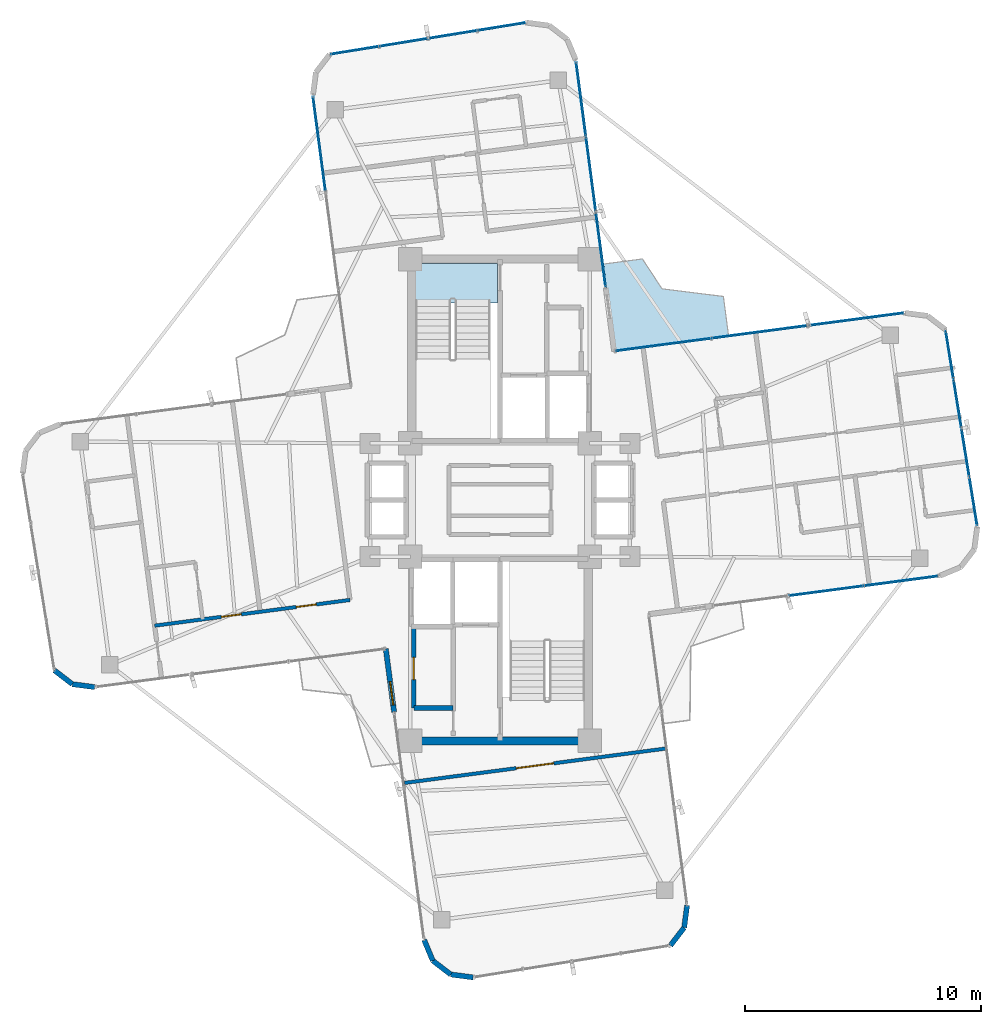
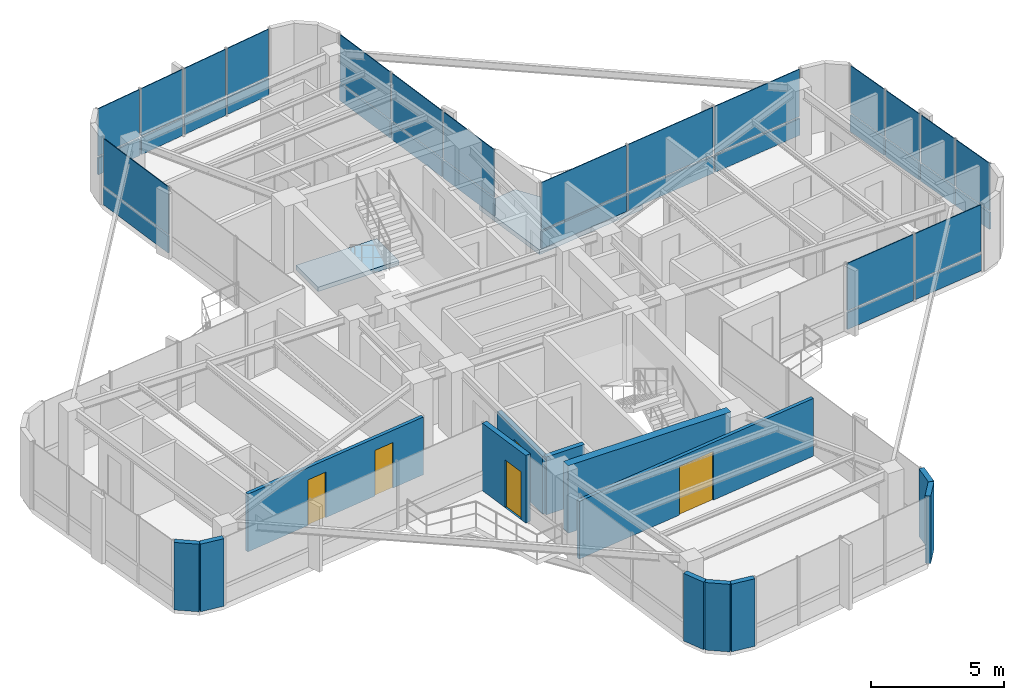
# One storey, part 18 of 22: 34 plates, 13 walls, 5 doors, 2 slabs, 5 openings, 6 elements without a shape of their own.
"""IFC4 building model written with IfcOpenShell, lengths in metres."""

from ifc_helpers import new_model, si_unit, direction, frame, frame_2d, origin, origin_2d, place, context, subcontext, project, spatial, polyline, rectangle, outline, extrude, source, transform, mapped, material, layer, layer_set, type_object, element, fill, aggregate, save


model = new_model("IFC4")

# Units and contexts
model_context = context("Model", 3, precision=1e-05, world=origin(), true_north=direction((0.0, 1.0)))
body_context = subcontext(model_context, "Body", "Model", "MODEL_VIEW")
ifc_project = project(units=[si_unit("LENGTHUNIT", "METRE"), si_unit("AREAUNIT", "SQUARE_METRE"), si_unit("VOLUMEUNIT", "CUBIC_METRE"), si_unit("PLANEANGLEUNIT", "RADIAN"), si_unit("MASSUNIT", "GRAM", prefix="KILO")], contexts=[model_context])

# Site, building, storey
site_placement = place(None, origin())
site = spatial("IfcSite", under=ifc_project, at=site_placement, CompositionType="ELEMENT")
building_placement = place(site_placement, origin())
building = spatial("IfcBuilding", under=site, at=building_placement, Name="Sahyath Konkavel Grand Hotel", CompositionType="ELEMENT")
storey_placement = place(building_placement, frame((0.0, 0.0, 244.5)))
storey = spatial("IfcBuildingStorey", under=building, at=storey_placement, Name="L68", CompositionType="ELEMENT", Elevation=244.5)

# Slabs
ifc_material_1 = material(Name="Concrete C40/50", Category="concrete")
ifc_layer_1 = layer(ifc_material_1, 0.219970703125)
ifc_layer_set_1 = layer_set([ifc_layer_1], Name="Concrete C40/50")
slab_type_1 = type_object("IfcSlabType", Name="SLB-BALCONY-220", PredefinedType="FLOOR", material=ifc_layer_set_1)
slab_1_placement = place(storey_placement, frame((0.0, 0.0, -0.219970703125)))
element("IfcSlab", 1, at=slab_1_placement, inside=storey, type_object=slab_type_1, Name="L68 Winter-Garden Balcony NE", PredefinedType="FLOOR", context=body_context, shape_type="SweptSolid", body=[
    extrude(outline(polyline([(4.835693359375, 6.302001953125), (9.678955078125, 6.939697265625), (9.4580078125, 8.61865234375), (6.860595703125, 8.94091796875), (6.02978515625, 10.206298828125), (4.350830078125, 9.9853515625), (4.835693359375, 6.302001953125)])), origin(), (0.0, 0.0, 1.0), 0.219970703125),
])
ifc_layer_2 = layer(ifc_material_1, 0.199951171875)
ifc_layer_set_2 = layer_set([ifc_layer_2], Name="Concrete C40/50")
slab_type_2 = type_object("IfcSlabType", Name="SLB-STAIR-LND", PredefinedType="LANDING", material=ifc_layer_set_2)
slab_2_placement = place(storey_placement, frame((0.0, 0.0, -0.199951171875)))
element("IfcSlab", 2, at=slab_2_placement, inside=storey, type_object=slab_type_2, Name="L68 Stair ST-1 Floor Landing Slab", PredefinedType="LANDING", context=body_context, shape_type="SweptSolid", body=[
    extrude(outline(polyline([(-3.6201171875, 8.35009765625), (-0.10009765625, 8.35009765625), (-0.10009765625, 10.02001953125), (-3.6201171875, 10.02001953125), (-3.6201171875, 8.35009765625)])), origin(), (0.0, 0.0, 1.0), 0.199951171875),
])

# Curtain wall, plates
ifc_material_2 = material(Name="Anodised Bronze Aluminium & Low-E Glazing", Category="aluminium")
curtain_wall_type = type_object("IfcCurtainWallType", Name="CW-ZONE4", PredefinedType="NOTDEFINED", material=ifc_material_2)
curtain_wall_1_placement = place(storey_placement, origin())
curtain_wall_1 = element("IfcCurtainWall", 3, at=curtain_wall_1_placement, inside=storey, type_object=curtain_wall_type, Name="L68 Unitised Curtain Wall F0", PredefinedType="NOTDEFINED")
ifc_material_3 = material(Name="Warm Buff Sandstone Cladding", Category="masonry")
ifc_layer_3 = layer(ifc_material_3, 0.074951171875)
ifc_layer_set_3 = layer_set([ifc_layer_3], Name="Warm Buff Sandstone Cladding")
plate_type_1 = type_object("IfcPlateType", Name="PNL-SPANDREL-STONE", PredefinedType="SHEET", material=ifc_layer_set_3)
shared_shape_1 = source(origin(), body_context, "Body", "SweptSolid", [
    extrude(rectangle(XDim=3.13525390625, YDim=0.074951171875, at=origin_2d()), origin(), (0.0, 0.0, 1.0), 0.77001953125),
])
plate_1_placement = place(storey_placement, frame((13.80029296875, -3.8486328125, 0.0400390625), z_axis=(0.0, 0.0, 1.0), x_axis=(0.991444861374, 0.13052619222, 0.0)))
plate_1 = element("IfcPlate", 4, at=plate_1_placement, type_object=plate_type_1, Name="L68 Sandstone Relief Spandrel Panel F0-1", PredefinedType="SHEET", context=body_context, shape_type="MappedRepresentation", body=[
    mapped(shared_shape_1, transform((0.0, 0.0, 0.0), scale=1.0)),
])
plate_2_placement = place(storey_placement, frame((16.98828125, -3.428955078125, 0.0400390625), z_axis=(0.0, 0.0, 1.0), x_axis=(0.991444861374, 0.13052619222, 0.0)))
plate_2 = element("IfcPlate", 5, at=plate_2_placement, type_object=plate_type_1, Name="L68 Sandstone Relief Spandrel Panel F0-2", PredefinedType="SHEET", context=body_context, shape_type="MappedRepresentation", body=[
    mapped(shared_shape_1, transform((0.0, 0.0, 0.0), scale=1.0)),
])

curtain_wall_2_placement = place(storey_placement, origin())
curtain_wall_2 = element("IfcCurtainWall", 6, at=curtain_wall_2_placement, inside=storey, type_object=curtain_wall_type, Name="L68 Unitised Curtain Wall F8", PredefinedType="NOTDEFINED")
plate_3_placement = place(storey_placement, frame((4.268310546875, 10.612548828125, 0.0400390625), z_axis=(0.0, 0.0, 1.0), x_axis=(-0.13052619222, 0.991444861374, 0.0)))
plate_3 = element("IfcPlate", 7, at=plate_3_placement, type_object=plate_type_1, Name="L68 Sandstone Relief Spandrel Panel F8-0", PredefinedType="SHEET", context=body_context, shape_type="MappedRepresentation", body=[
    mapped(shared_shape_1, transform((0.0, 0.0, 0.0), scale=1.0)),
])
plate_4_placement = place(storey_placement, frame((3.8486328125, 13.80029296875, 0.0400390625), z_axis=(0.0, 0.0, 1.0), x_axis=(-0.13052619222, 0.991444861374, 0.0)))
plate_4 = element("IfcPlate", 8, at=plate_4_placement, type_object=plate_type_1, Name="L68 Sandstone Relief Spandrel Panel F8-1", PredefinedType="SHEET", context=body_context, shape_type="MappedRepresentation", body=[
    mapped(shared_shape_1, transform((0.0, 0.0, 0.0), scale=1.0)),
])
plate_5_placement = place(storey_placement, frame((3.428955078125, 16.98828125, 0.0400390625), z_axis=(0.0, 0.0, 1.0), x_axis=(-0.13052619222, 0.991444861374, 0.0)))
plate_5 = element("IfcPlate", 9, at=plate_5_placement, type_object=plate_type_1, Name="L68 Sandstone Relief Spandrel Panel F8-2", PredefinedType="SHEET", context=body_context, shape_type="MappedRepresentation", body=[
    mapped(shared_shape_1, transform((0.0, 0.0, 0.0), scale=1.0)),
])

# Plate
ifc_material_4 = material(Name="Low-E Solar Control Double Glazing", Category="glass")
ifc_layer_4 = layer(ifc_material_4, 0.035888671875)
ifc_layer_set_4 = layer_set([ifc_layer_4], Name="Low-E Solar Control Double Glazing")
plate_type_2 = type_object("IfcPlateType", Name="PNL-VISION-LOWE", PredefinedType="CURTAIN_PANEL", material=ifc_layer_set_4)
shared_shape_2 = source(origin(), body_context, "Body", "SweptSolid", [
    extrude(rectangle(XDim=3.13525390625, YDim=0.035888671875, at=origin_2d()), origin(), (0.0, 0.0, 1.0), 2.179931640625),
])
plate_6_placement = place(storey_placement, frame((13.80029296875, -3.8486328125, 0.89013671875), z_axis=(0.0, 0.0, 1.0), x_axis=(0.991444861374, 0.13052619222, 0.0)))
plate_6 = element("IfcPlate", 10, at=plate_6_placement, type_object=plate_type_2, Name="L68 Low-E Vision Glazing Panel F0-1", PredefinedType="CURTAIN_PANEL", context=body_context, shape_type="MappedRepresentation", body=[
    mapped(shared_shape_2, transform((0.0, 0.0, 0.0), scale=1.0)),
])

plate_7_placement = place(storey_placement, frame((16.98828125, -3.428955078125, 0.89013671875), z_axis=(0.0, 0.0, 1.0), x_axis=(0.991444861374, 0.13052619222, 0.0)))
plate_7 = element("IfcPlate", 11, at=plate_7_placement, type_object=plate_type_2, Name="L68 Low-E Vision Glazing Panel F0-2", PredefinedType="CURTAIN_PANEL", context=body_context, shape_type="MappedRepresentation", body=[
    mapped(shared_shape_2, transform((0.0, 0.0, 0.0), scale=1.0)),
])

aggregate(curtain_wall_1, [plate_1, plate_6, plate_2, plate_7])

plate_8_placement = place(storey_placement, frame((4.268310546875, 10.612548828125, 0.89013671875), z_axis=(0.0, 0.0, 1.0), x_axis=(-0.13052619222, 0.991444861374, 0.0)))
plate_8 = element("IfcPlate", 12, at=plate_8_placement, type_object=plate_type_2, Name="L68 Low-E Vision Glazing Panel F8-0", PredefinedType="CURTAIN_PANEL", context=body_context, shape_type="MappedRepresentation", body=[
    mapped(shared_shape_2, transform((0.0, 0.0, 0.0), scale=1.0)),
])

plate_9_placement = place(storey_placement, frame((3.8486328125, 13.80029296875, 0.89013671875), z_axis=(0.0, 0.0, 1.0), x_axis=(-0.13052619222, 0.991444861374, 0.0)))
plate_9 = element("IfcPlate", 13, at=plate_9_placement, type_object=plate_type_2, Name="L68 Low-E Vision Glazing Panel F8-1", PredefinedType="CURTAIN_PANEL", context=body_context, shape_type="MappedRepresentation", body=[
    mapped(shared_shape_2, transform((0.0, 0.0, 0.0), scale=1.0)),
])

plate_10_placement = place(storey_placement, frame((3.428955078125, 16.98828125, 0.89013671875), z_axis=(0.0, 0.0, 1.0), x_axis=(-0.13052619222, 0.991444861374, 0.0)))
plate_10 = element("IfcPlate", 14, at=plate_10_placement, type_object=plate_type_2, Name="L68 Low-E Vision Glazing Panel F8-2", PredefinedType="CURTAIN_PANEL", context=body_context, shape_type="MappedRepresentation", body=[
    mapped(shared_shape_2, transform((0.0, 0.0, 0.0), scale=1.0)),
])

aggregate(curtain_wall_2, [plate_3, plate_8, plate_4, plate_9, plate_5, plate_10])

# Curtain wall, plates
curtain_wall_3_placement = place(storey_placement, origin())
curtain_wall_3 = element("IfcCurtainWall", 15, at=curtain_wall_3_placement, inside=storey, type_object=curtain_wall_type, Name="L68 Unitised Curtain Wall F4", PredefinedType="NOTDEFINED")
shared_shape_3 = source(origin(), body_context, "Body", "SweptSolid", [
    extrude(rectangle(XDim=2.015625, YDim=0.074951171875, at=origin_2d()), origin(), (0.0, 0.0, 1.0), 0.77001953125),
])
plate_11_placement = place(storey_placement, frame((20.041015625, -0.064208984375, 0.0400390625), z_axis=(0.0, 0.0, 1.0), x_axis=(-0.159502142799, 0.987197582271, 0.0)))
plate_11 = element("IfcPlate", 16, at=plate_11_placement, type_object=plate_type_1, Name="L68 Sandstone Relief Spandrel Panel F4-0", PredefinedType="SHEET", context=body_context, shape_type="MappedRepresentation", body=[
    mapped(shared_shape_3, transform((0.0, 0.0, 0.0), scale=1.0)),
])
plate_12_placement = place(storey_placement, frame((19.706787109375, 2.00439453125, 0.0400390625), z_axis=(0.0, 0.0, 1.0), x_axis=(-0.159502142799, 0.987197582271, 0.0)))
plate_12 = element("IfcPlate", 17, at=plate_12_placement, type_object=plate_type_1, Name="L68 Sandstone Relief Spandrel Panel F4-1", PredefinedType="SHEET", context=body_context, shape_type="MappedRepresentation", body=[
    mapped(shared_shape_3, transform((0.0, 0.0, 0.0), scale=1.0)),
])
plate_13_placement = place(storey_placement, frame((19.37255859375, 4.0732421875, 0.0400390625), z_axis=(0.0, 0.0, 1.0), x_axis=(-0.159502142799, 0.987197582271, 0.0)))
plate_13 = element("IfcPlate", 18, at=plate_13_placement, type_object=plate_type_1, Name="L68 Sandstone Relief Spandrel Panel F4-2", PredefinedType="SHEET", context=body_context, shape_type="MappedRepresentation", body=[
    mapped(shared_shape_3, transform((0.0, 0.0, 0.0), scale=1.0)),
])
plate_14_placement = place(storey_placement, frame((19.0380859375, 6.14208984375, 0.0400390625), z_axis=(0.0, 0.0, 1.0), x_axis=(-0.159502142799, 0.987197582271, 0.0)))
plate_14 = element("IfcPlate", 19, at=plate_14_placement, type_object=plate_type_1, Name="L68 Sandstone Relief Spandrel Panel F4-3", PredefinedType="SHEET", context=body_context, shape_type="MappedRepresentation", body=[
    mapped(shared_shape_3, transform((0.0, 0.0, 0.0), scale=1.0)),
])

curtain_wall_4_placement = place(storey_placement, origin())
curtain_wall_4 = element("IfcCurtainWall", 20, at=curtain_wall_4_placement, inside=storey, type_object=curtain_wall_type, Name="L68 Unitised Curtain Wall F12", PredefinedType="NOTDEFINED")
plate_15_placement = place(storey_placement, frame((0.064208984375, 20.041015625, 0.0400390625), z_axis=(0.0, 0.0, 1.0), x_axis=(-0.987197582271, -0.159502142799, 0.0)))
plate_15 = element("IfcPlate", 21, at=plate_15_placement, type_object=plate_type_1, Name="L68 Sandstone Relief Spandrel Panel F12-0", PredefinedType="SHEET", context=body_context, shape_type="MappedRepresentation", body=[
    mapped(shared_shape_3, transform((0.0, 0.0, 0.0), scale=1.0)),
])
plate_16_placement = place(storey_placement, frame((-2.00439453125, 19.706787109375, 0.0400390625), z_axis=(0.0, 0.0, 1.0), x_axis=(-0.987197582271, -0.159502142799, 0.0)))
plate_16 = element("IfcPlate", 22, at=plate_16_placement, type_object=plate_type_1, Name="L68 Sandstone Relief Spandrel Panel F12-1", PredefinedType="SHEET", context=body_context, shape_type="MappedRepresentation", body=[
    mapped(shared_shape_3, transform((0.0, 0.0, 0.0), scale=1.0)),
])
plate_17_placement = place(storey_placement, frame((-4.0732421875, 19.37255859375, 0.0400390625), z_axis=(0.0, 0.0, 1.0), x_axis=(-0.987197582271, -0.159502142799, 0.0)))
plate_17 = element("IfcPlate", 23, at=plate_17_placement, type_object=plate_type_1, Name="L68 Sandstone Relief Spandrel Panel F12-2", PredefinedType="SHEET", context=body_context, shape_type="MappedRepresentation", body=[
    mapped(shared_shape_3, transform((0.0, 0.0, 0.0), scale=1.0)),
])
plate_18_placement = place(storey_placement, frame((-6.14208984375, 19.0380859375, 0.0400390625), z_axis=(0.0, 0.0, 1.0), x_axis=(-0.987197582271, -0.159502142799, 0.0)))
plate_18 = element("IfcPlate", 24, at=plate_18_placement, type_object=plate_type_1, Name="L68 Sandstone Relief Spandrel Panel F12-3", PredefinedType="SHEET", context=body_context, shape_type="MappedRepresentation", body=[
    mapped(shared_shape_3, transform((0.0, 0.0, 0.0), scale=1.0)),
])

# Plate
shared_shape_4 = source(origin(), body_context, "Body", "SweptSolid", [
    extrude(rectangle(XDim=2.015625, YDim=0.035888671875, at=origin_2d()), origin(), (0.0, 0.0, 1.0), 2.179931640625),
])
plate_19_placement = place(storey_placement, frame((20.041015625, -0.064208984375, 0.89013671875), z_axis=(0.0, 0.0, 1.0), x_axis=(-0.159502142799, 0.987197582271, 0.0)))
plate_19 = element("IfcPlate", 25, at=plate_19_placement, type_object=plate_type_2, Name="L68 Low-E Vision Glazing Panel F4-0", PredefinedType="CURTAIN_PANEL", context=body_context, shape_type="MappedRepresentation", body=[
    mapped(shared_shape_4, transform((0.0, 0.0, 0.0), scale=1.0)),
])

plate_20_placement = place(storey_placement, frame((19.706787109375, 2.00439453125, 0.89013671875), z_axis=(0.0, 0.0, 1.0), x_axis=(-0.159502142799, 0.987197582271, 0.0)))
plate_20 = element("IfcPlate", 26, at=plate_20_placement, type_object=plate_type_2, Name="L68 Low-E Vision Glazing Panel F4-1", PredefinedType="CURTAIN_PANEL", context=body_context, shape_type="MappedRepresentation", body=[
    mapped(shared_shape_4, transform((0.0, 0.0, 0.0), scale=1.0)),
])

plate_21_placement = place(storey_placement, frame((19.37255859375, 4.0732421875, 0.89013671875), z_axis=(0.0, 0.0, 1.0), x_axis=(-0.159502142799, 0.987197582271, 0.0)))
plate_21 = element("IfcPlate", 27, at=plate_21_placement, type_object=plate_type_2, Name="L68 Low-E Vision Glazing Panel F4-2", PredefinedType="CURTAIN_PANEL", context=body_context, shape_type="MappedRepresentation", body=[
    mapped(shared_shape_4, transform((0.0, 0.0, 0.0), scale=1.0)),
])

plate_22_placement = place(storey_placement, frame((19.0380859375, 6.14208984375, 0.89013671875), z_axis=(0.0, 0.0, 1.0), x_axis=(-0.159502142799, 0.987197582271, 0.0)))
plate_22 = element("IfcPlate", 28, at=plate_22_placement, type_object=plate_type_2, Name="L68 Low-E Vision Glazing Panel F4-3", PredefinedType="CURTAIN_PANEL", context=body_context, shape_type="MappedRepresentation", body=[
    mapped(shared_shape_4, transform((0.0, 0.0, 0.0), scale=1.0)),
])

aggregate(curtain_wall_3, [plate_11, plate_19, plate_12, plate_20, plate_13, plate_21, plate_14, plate_22])

plate_23_placement = place(storey_placement, frame((0.064208984375, 20.041015625, 0.89013671875), z_axis=(0.0, 0.0, 1.0), x_axis=(-0.987197582271, -0.159502142799, 0.0)))
plate_23 = element("IfcPlate", 29, at=plate_23_placement, type_object=plate_type_2, Name="L68 Low-E Vision Glazing Panel F12-0", PredefinedType="CURTAIN_PANEL", context=body_context, shape_type="MappedRepresentation", body=[
    mapped(shared_shape_4, transform((0.0, 0.0, 0.0), scale=1.0)),
])

plate_24_placement = place(storey_placement, frame((-2.00439453125, 19.706787109375, 0.89013671875), z_axis=(0.0, 0.0, 1.0), x_axis=(-0.987197582271, -0.159502142799, 0.0)))
plate_24 = element("IfcPlate", 30, at=plate_24_placement, type_object=plate_type_2, Name="L68 Low-E Vision Glazing Panel F12-1", PredefinedType="CURTAIN_PANEL", context=body_context, shape_type="MappedRepresentation", body=[
    mapped(shared_shape_4, transform((0.0, 0.0, 0.0), scale=1.0)),
])

plate_25_placement = place(storey_placement, frame((-4.0732421875, 19.37255859375, 0.89013671875), z_axis=(0.0, 0.0, 1.0), x_axis=(-0.987197582271, -0.159502142799, 0.0)))
plate_25 = element("IfcPlate", 31, at=plate_25_placement, type_object=plate_type_2, Name="L68 Low-E Vision Glazing Panel F12-2", PredefinedType="CURTAIN_PANEL", context=body_context, shape_type="MappedRepresentation", body=[
    mapped(shared_shape_4, transform((0.0, 0.0, 0.0), scale=1.0)),
])

plate_26_placement = place(storey_placement, frame((-6.14208984375, 19.0380859375, 0.89013671875), z_axis=(0.0, 0.0, 1.0), x_axis=(-0.987197582271, -0.159502142799, 0.0)))
plate_26 = element("IfcPlate", 32, at=plate_26_placement, type_object=plate_type_2, Name="L68 Low-E Vision Glazing Panel F12-3", PredefinedType="CURTAIN_PANEL", context=body_context, shape_type="MappedRepresentation", body=[
    mapped(shared_shape_4, transform((0.0, 0.0, 0.0), scale=1.0)),
])

aggregate(curtain_wall_4, [plate_15, plate_23, plate_16, plate_24, plate_17, plate_25, plate_18, plate_26])

# Curtain wall, plates
curtain_wall_5_placement = place(storey_placement, origin())
curtain_wall_5 = element("IfcCurtainWall", 33, at=curtain_wall_5_placement, inside=storey, type_object=curtain_wall_type, Name="L68 Unitised Curtain Wall F7", PredefinedType="NOTDEFINED")
shared_shape_5 = source(origin(), body_context, "Body", "SweptSolid", [
    extrude(rectangle(XDim=4.035400390625, YDim=0.074951171875, at=origin_2d()), origin(), (0.0, 0.0, 1.0), 0.77001953125),
])
plate_27_placement = place(storey_placement, frame((15.07568359375, 7.650146484375, 0.0400390625), z_axis=(0.0, 0.0, 1.0), x_axis=(-0.991444861374, -0.13052619222, 0.0)))
plate_27 = element("IfcPlate", 34, at=plate_27_placement, type_object=plate_type_1, Name="L68 Sandstone Relief Spandrel Panel F7-0", PredefinedType="SHEET", context=body_context, shape_type="MappedRepresentation", body=[
    mapped(shared_shape_5, transform((0.0, 0.0, 0.0), scale=1.0)),
])
plate_28_placement = place(storey_placement, frame((10.99560546875, 7.113037109375, 0.0400390625), z_axis=(0.0, 0.0, 1.0), x_axis=(-0.991444861374, -0.13052619222, 0.0)))
plate_28 = element("IfcPlate", 35, at=plate_28_placement, type_object=plate_type_1, Name="L68 Sandstone Relief Spandrel Panel F7-1", PredefinedType="SHEET", context=body_context, shape_type="MappedRepresentation", body=[
    mapped(shared_shape_5, transform((0.0, 0.0, 0.0), scale=1.0)),
])
plate_29_placement = place(storey_placement, frame((6.91552734375, 6.575927734375, 0.0400390625), z_axis=(0.0, 0.0, 1.0), x_axis=(-0.991444861374, -0.13052619222, 0.0)))
plate_29 = element("IfcPlate", 36, at=plate_29_placement, type_object=plate_type_1, Name="L68 Sandstone Relief Spandrel Panel F7-2", PredefinedType="SHEET", context=body_context, shape_type="MappedRepresentation", body=[
    mapped(shared_shape_5, transform((0.0, 0.0, 0.0), scale=1.0)),
])

# Curtain wall, plate
curtain_wall_6_placement = place(storey_placement, origin())
curtain_wall_6 = element("IfcCurtainWall", 37, at=curtain_wall_6_placement, inside=storey, type_object=curtain_wall_type, Name="L68 Unitised Curtain Wall F15", PredefinedType="NOTDEFINED")
plate_30_placement = place(storey_placement, frame((-7.650146484375, 15.07568359375, 0.0400390625), z_axis=(0.0, 0.0, 1.0), x_axis=(0.13052619222, -0.991444861374, 0.0)))
plate_30 = element("IfcPlate", 38, at=plate_30_placement, type_object=plate_type_1, Name="L68 Sandstone Relief Spandrel Panel F15-0", PredefinedType="SHEET", context=body_context, shape_type="MappedRepresentation", body=[
    mapped(shared_shape_5, transform((0.0, 0.0, 0.0), scale=1.0)),
])

# Plate
shared_shape_6 = source(origin(), body_context, "Body", "SweptSolid", [
    extrude(rectangle(XDim=4.035400390625, YDim=0.035888671875, at=origin_2d()), origin(), (0.0, 0.0, 1.0), 2.179931640625),
])
plate_31_placement = place(storey_placement, frame((15.07568359375, 7.650146484375, 0.89013671875), z_axis=(0.0, 0.0, 1.0), x_axis=(-0.991444861374, -0.13052619222, 0.0)))
plate_31 = element("IfcPlate", 39, at=plate_31_placement, type_object=plate_type_2, Name="L68 Low-E Vision Glazing Panel F7-0", PredefinedType="CURTAIN_PANEL", context=body_context, shape_type="MappedRepresentation", body=[
    mapped(shared_shape_6, transform((0.0, 0.0, 0.0), scale=1.0)),
])

plate_32_placement = place(storey_placement, frame((10.99560546875, 7.113037109375, 0.89013671875), z_axis=(0.0, 0.0, 1.0), x_axis=(-0.991444861374, -0.13052619222, 0.0)))
plate_32 = element("IfcPlate", 40, at=plate_32_placement, type_object=plate_type_2, Name="L68 Low-E Vision Glazing Panel F7-1", PredefinedType="CURTAIN_PANEL", context=body_context, shape_type="MappedRepresentation", body=[
    mapped(shared_shape_6, transform((0.0, 0.0, 0.0), scale=1.0)),
])

plate_33_placement = place(storey_placement, frame((6.91552734375, 6.575927734375, 0.89013671875), z_axis=(0.0, 0.0, 1.0), x_axis=(-0.991444861374, -0.13052619222, 0.0)))
plate_33 = element("IfcPlate", 41, at=plate_33_placement, type_object=plate_type_2, Name="L68 Low-E Vision Glazing Panel F7-2", PredefinedType="CURTAIN_PANEL", context=body_context, shape_type="MappedRepresentation", body=[
    mapped(shared_shape_6, transform((0.0, 0.0, 0.0), scale=1.0)),
])

aggregate(curtain_wall_5, [plate_27, plate_31, plate_28, plate_32, plate_29, plate_33])

plate_34_placement = place(storey_placement, frame((-7.650146484375, 15.07568359375, 0.89013671875), z_axis=(0.0, 0.0, 1.0), x_axis=(0.13052619222, -0.991444861374, 0.0)))
plate_34 = element("IfcPlate", 42, at=plate_34_placement, type_object=plate_type_2, Name="L68 Low-E Vision Glazing Panel F15-0", PredefinedType="CURTAIN_PANEL", context=body_context, shape_type="MappedRepresentation", body=[
    mapped(shared_shape_6, transform((0.0, 0.0, 0.0), scale=1.0)),
])

aggregate(curtain_wall_6, [plate_30, plate_34])

# Walls
ifc_layer_5 = layer(ifc_material_1, 0.35009765625)
ifc_layer_set_5 = layer_set([ifc_layer_5], Name="Concrete C40/50")
wall_type_1 = type_object("IfcWallType", Name="CWALL-350", PredefinedType="SHEAR", material=ifc_layer_set_5)
wall_1_placement = place(storey_placement, frame((-3.550048828125, -10.199951171875, 0.0), z_axis=(0.0, 0.0, 1.0), x_axis=(1.0, 0.0, 0.0)))
element("IfcWall", 43, at=wall_1_placement, inside=storey, type_object=wall_type_1, Name="L68 South Core Shear Wall S", PredefinedType="SHEAR", context=body_context, shape_type="SweptSolid", body=[
    extrude(rectangle(XDim=7.10009765625, YDim=0.35009765625, at=frame_2d((3.550048828125, 0.0))), origin(), (0.0, 0.0, 1.0), 3.110107421875),
])
ifc_material_5 = material(Name="Warm Buff Sandstone Insulated Concrete C40/50", Category="masonry")
ifc_layer_6 = layer(ifc_material_5, 0.219970703125)
ifc_layer_set_6 = layer_set([ifc_layer_6], Name="Warm Buff Sandstone Insulated Concrete C40/50")
wall_type_2 = type_object("IfcWallType", Name="WLL-BALC-THRESH", PredefinedType="STANDARD", material=ifc_layer_set_6)
for number, where, z_axis, x_axis, name in (
    (44, (-18.86474609375, -7.216064453125, 0.0), (0.0, 0.0, 1.0), (0.793343685778, -0.608774010809, 0.0), "L68 Rounded Corner Sandstone Pier 21"),
    (45, (-18.10498046875, -7.799072265625, 0.0), (0.0, 0.0, 1.0), (0.991444747987, -0.130527053476, 0.0), "L68 Rounded Corner Sandstone Pier 22"),
):
    element("IfcWall", number, at=place(storey_placement, frame(where, z_axis=z_axis, x_axis=x_axis)), inside=storey, type_object=wall_type_2, Name=name, PredefinedType="STANDARD", context=body_context, shape_type="SweptSolid", body=[
        extrude(rectangle(XDim=0.957763671875, YDim=0.219970703125, at=frame_2d((0.47900390625, 0.0))), origin(), (0.0, 0.0, 1.0), 3.110107421875),
    ])

# Wall, opening, door
wall_2_placement = place(storey_placement, frame((-4.835693359375, -6.302001953125, 0.0), z_axis=(0.0, 0.0, 1.0), x_axis=(0.130475563272, -0.991451525486, 0.0)))
wall_2 = element("IfcWall", 46, at=wall_2_placement, inside=storey, type_object=wall_type_2, Name="L68 Winter-Garden Threshold Wall 24", PredefinedType="STANDARD", context=body_context, shape_type="SweptSolid", body=[
    extrude(rectangle(XDim=2.7001953125, YDim=0.219970703125, at=frame_2d((1.35009765625, 0.0))), origin(), (0.0, 0.0, 1.0), 3.110107421875),
])
opening_1_placement = place(wall_2_placement, frame((1.39990234375, 0.0, 0.0)))
opening_1 = element("IfcOpeningElement", 47, at=opening_1_placement, cuts=wall_2, Name="Opening D-TR1", PredefinedType="OPENING", context=body_context, shape_type="SweptSolid", body=[
    extrude(rectangle(XDim=1.0, YDim=2.199951171875, at=frame_2d((0.5, 1.10009765625))), frame((0.0, 0.1201171875, 0.0), z_axis=(0.0, -1.0, 0.0), x_axis=(1.0, 0.0, 0.0)), (0.0, 0.0, 1.0), 0.239990234375),
])
door_type_1 = type_object("IfcDoorType", Name="DR-TERRACE-1000", OperationType="NOTDEFINED", PredefinedType="DOOR", material=ifc_material_2)
shared_shape_7 = source(origin(), body_context, "Body", "SweptSolid", [
    extrude(rectangle(XDim=1.0, YDim=0.050048828125, at=origin_2d()), origin(), (0.0, 0.0, 1.0), 2.199951171875),
])
door_1_placement = place(opening_1_placement, frame((0.5, 0.0, 0.0)))
door_1 = element("IfcDoor", 48, at=door_1_placement, inside=storey, type_object=door_type_1, Name="L68 Winter-Garden Terrace Door 24", OperationType="SINGLE_SWING_LEFT", OverallHeight=2.199951171875, OverallWidth=1.0, PredefinedType="DOOR", context=body_context, shape_type="MappedRepresentation", body=[
    mapped(shared_shape_7, transform((0.0, 0.0, 0.0), scale=1.0)),
])
fill(opening_1, door_1)

# Walls
for number, where, z_axis, x_axis, name in (
    (49, (-3.2138671875, -18.621826171875, 0.0), (0.0, 0.0, 1.0), (0.382659506909, -0.923889442397, 0.0), "L68 Rounded Corner Sandstone Pier 25"),
    (50, (-2.847412109375, -19.506591796875, 0.0), (0.0, 0.0, 1.0), (0.793343685778, -0.608774010809, 0.0), "L68 Rounded Corner Sandstone Pier 26"),
    (51, (-2.087646484375, -20.089599609375, 0.0), (0.0, 0.0, 1.0), (0.991444747987, -0.130527053476, 0.0), "L68 Rounded Corner Sandstone Pier 27"),
    (52, (7.216064453125, -18.86474609375, 0.0), (0.0, 0.0, 1.0), (0.608774010809, 0.793343685778, 0.0), "L68 Rounded Corner Sandstone Pier 29"),
    (53, (7.799072265625, -18.10498046875, 0.0), (0.0, 0.0, 1.0), (0.130527053476, 0.991444747987, 0.0), "L68 Rounded Corner Sandstone Pier 30"),
):
    element("IfcWall", number, at=place(storey_placement, frame(where, z_axis=z_axis, x_axis=x_axis)), inside=storey, type_object=wall_type_2, Name=name, PredefinedType="STANDARD", context=body_context, shape_type="SweptSolid", body=[
        extrude(rectangle(XDim=0.957763671875, YDim=0.219970703125, at=frame_2d((0.47900390625, 0.0))), origin(), (0.0, 0.0, 1.0), 3.110107421875),
    ])

# Wall, opening, door
ifc_layer_7 = layer(ifc_material_1, 0.199951171875)
ifc_layer_set_7 = layer_set([ifc_layer_7], Name="Concrete C40/50")
wall_type_3 = type_object("IfcWallType", Name="WLL-CORE-200", PredefinedType="SOLIDWALL", material=ifc_layer_set_7)
wall_3_placement = place(storey_placement, frame((-3.64990234375, -8.81005859375, 0.0), z_axis=(0.0, 0.0, 1.0), x_axis=(0.0, 1.0, 0.0)))
wall_3 = element("IfcWall", 54, at=wall_3_placement, inside=storey, type_object=wall_type_3, Name="L68 Reclaimed South Core Wall W", PredefinedType="SOLIDWALL", context=body_context, shape_type="SweptSolid", body=[
    extrude(rectangle(XDim=3.43017578125, YDim=0.199951171875, at=frame_2d((1.715087890625, 0.0))), origin(), (0.0, 0.0, 1.0), 2.659912109375),
])
opening_2_placement = place(wall_3_placement, frame((1.199951171875, 0.0, 0.0)))
opening_2 = element("IfcOpeningElement", 55, at=opening_2_placement, cuts=wall_3, Name="Opening D-AC95", PredefinedType="OPENING", context=body_context, shape_type="SweptSolid", body=[
    extrude(rectangle(XDim=0.949951171875, YDim=2.14990234375, at=frame_2d((0.47509765625, 1.074951171875))), frame((0.0, 0.10986328125, 0.0), z_axis=(0.0, -1.0, 0.0), x_axis=(1.0, 0.0, 0.0)), (0.0, 0.0, 1.0), 0.219970703125),
])
ifc_material_6 = material(Name="Accessible Washroom Timber Door", Category="wood")
door_type_2 = type_object("IfcDoorType", Name="DR-ACC-950", OperationType="NOTDEFINED", PredefinedType="DOOR", material=ifc_material_6)
shared_shape_8 = source(origin(), body_context, "Body", "SweptSolid", [
    extrude(rectangle(XDim=0.949951171875, YDim=0.050048828125, at=origin_2d()), origin(), (0.0, 0.0, 1.0), 2.14990234375),
])
door_2_placement = place(opening_2_placement, frame((0.47509765625, 0.0, 0.0)))
door_2 = element("IfcDoor", 56, at=door_2_placement, inside=storey, type_object=door_type_2, Name="L68 Door SC-REC1-D", OperationType="SINGLE_SWING_LEFT", OverallHeight=2.14990234375, OverallWidth=0.949951171875, PredefinedType="DOOR", context=body_context, shape_type="MappedRepresentation", body=[
    mapped(shared_shape_8, transform((0.0, 0.0, 0.0), scale=1.0)),
])
fill(opening_2, door_2)

# Wall
wall_4_placement = place(storey_placement, frame((-3.64990234375, -8.81005859375, 0.0), z_axis=(0.0, 0.0, 1.0), x_axis=(1.0, 0.0, 0.0)))
element("IfcWall", 57, at=wall_4_placement, inside=storey, type_object=wall_type_3, Name="L68 Partition SC-REC-S", PredefinedType="SOLIDWALL", context=body_context, shape_type="SweptSolid", body=[
    extrude(rectangle(XDim=1.669921875, YDim=0.199951171875, at=frame_2d((0.8349609375, 0.0))), origin(), (0.0, 0.0, 1.0), 2.659912109375),
])

# Wall, openings, doors
ifc_material_7 = material(Name="Fire-Rated Gypsum Plasterboard Partition")
ifc_layer_8 = layer(ifc_material_7, 0.14990234375)
ifc_layer_set_8 = layer_set([ifc_layer_8], Name="Fire-Rated Gypsum Plasterboard Partition")
wall_type_4 = type_object("IfcWallType", Name="WLL-PART-150", PredefinedType="PARTITIONING", material=ifc_layer_set_8)
wall_5_placement = place(storey_placement, frame((-6.351806640625, -4.232421875, 0.0), z_axis=(0.0, 0.0, 1.0), x_axis=(-0.991446823881, -0.130511284629, 0.0)))
wall_5 = element("IfcWall", 58, at=wall_5_placement, inside=storey, type_object=wall_type_4, Name="L68 Partition W-G5W", PredefinedType="PARTITIONING", context=body_context, shape_type="SweptSolid", body=[
    extrude(rectangle(XDim=8.343017578125, YDim=0.14990234375, at=frame_2d((4.17138671875, 0.0))), origin(), (0.0, 0.0, 1.0), 2.659912109375),
])
opening_3_placement = place(wall_5_placement, frame((1.444091796875, 0.0, 0.0)))
opening_3 = element("IfcOpeningElement", 59, at=opening_3_placement, cuts=wall_5, Name="Opening D-F06D", PredefinedType="OPENING", context=body_context, shape_type="SweptSolid", body=[
    extrude(rectangle(XDim=0.85009765625, YDim=2.10009765625, at=frame_2d((0.425048828125, 1.050048828125))), frame((0.0, 0.0849609375, 0.0), z_axis=(0.0, -1.0, 0.0), x_axis=(1.0, 0.0, 0.0)), (0.0, 0.0, 1.0), 0.169921875),
])
opening_4_placement = place(wall_5_placement, frame((4.64111328125, 0.0, 0.0)))
opening_4 = element("IfcOpeningElement", 60, at=opening_4_placement, cuts=wall_5, Name="Opening D-F06D", PredefinedType="OPENING", context=body_context, shape_type="SweptSolid", body=[
    extrude(rectangle(XDim=0.85009765625, YDim=2.10009765625, at=frame_2d((0.425048828125, 1.050048828125))), frame((0.0, 0.0849609375, 0.0), z_axis=(0.0, -1.0, 0.0), x_axis=(1.0, 0.0, 0.0)), (0.0, 0.0, 1.0), 0.169921875),
])
ifc_material_8 = material(Name="Fire-Rated Shaft Access Door")
door_type_3 = type_object("IfcDoorType", Name="DR-FD60-850", OperationType="NOTDEFINED", PredefinedType="DOOR", material=ifc_material_8)
shared_shape_9 = source(origin(), body_context, "Body", "SweptSolid", [
    extrude(rectangle(XDim=0.85009765625, YDim=0.050048828125, at=origin_2d()), origin(), (0.0, 0.0, 1.0), 2.10009765625),
])
door_3_placement = place(opening_3_placement, frame((0.425048828125, 0.0, 0.0)))
door_3 = element("IfcDoor", 61, at=door_3_placement, inside=storey, type_object=door_type_3, Name="L68 Door W-WD1-D", OperationType="SINGLE_SWING_LEFT", OverallHeight=2.10009765625, OverallWidth=0.85009765625, PredefinedType="DOOR", context=body_context, shape_type="MappedRepresentation", body=[
    mapped(shared_shape_9, transform((0.0, 0.0, 0.0), scale=1.0)),
])
fill(opening_3, door_3)
door_4_placement = place(opening_4_placement, frame((0.425048828125, 0.0, 0.0)))
door_4 = element("IfcDoor", 62, at=door_4_placement, inside=storey, type_object=door_type_3, Name="L68 Door W-WD2-ED", OperationType="SINGLE_SWING_LEFT", OverallHeight=2.10009765625, OverallWidth=0.85009765625, PredefinedType="DOOR", context=body_context, shape_type="MappedRepresentation", body=[
    mapped(shared_shape_9, transform((0.0, 0.0, 0.0), scale=1.0)),
])
fill(opening_4, door_4)

# Wall, opening, door
wall_6_placement = place(storey_placement, frame((-4.037841796875, -11.9794921875, 0.0), z_axis=(0.0, 0.0, 1.0), x_axis=(0.991446382373, 0.130514638561, 0.0)))
wall_6 = element("IfcWall", 63, at=wall_6_placement, inside=storey, type_object=wall_type_4, Name="L68 Partition S-SAL-IN", PredefinedType="PARTITIONING", context=body_context, shape_type="SweptSolid", body=[
    extrude(rectangle(XDim=11.1337890625, YDim=0.14990234375, at=frame_2d((5.56689453125, 0.0))), origin(), (0.0, 0.0, 1.0), 2.659912109375),
])
opening_5_placement = place(wall_6_placement, frame((4.76708984375, 0.0, 0.0)))
opening_5 = element("IfcOpeningElement", 64, at=opening_5_placement, cuts=wall_6, Name="Opening D-DB16", PredefinedType="OPENING", context=body_context, shape_type="SweptSolid", body=[
    extrude(rectangle(XDim=1.60009765625, YDim=2.25, at=frame_2d((0.800048828125, 1.125))), frame((0.0, 0.0849609375, 0.0), z_axis=(0.0, -1.0, 0.0), x_axis=(1.0, 0.0, 0.0)), (0.0, 0.0, 1.0), 0.169921875),
])
ifc_material_9 = material(Name="Double Leaf Lounge Glazed Timber Door", Category="wood")
door_type_4 = type_object("IfcDoorType", Name="DR-DBL-1600", OperationType="DOUBLE_DOOR_SINGLE_SWING", PredefinedType="DOOR", material=ifc_material_9)
shared_shape_10 = source(origin(), body_context, "Body", "SweptSolid", [
    extrude(rectangle(XDim=1.60009765625, YDim=0.050048828125, at=origin_2d()), origin(), (0.0, 0.0, 1.0), 2.25),
])
door_5_placement = place(opening_5_placement, frame((0.800048828125, 0.0, 0.0)))
door_5 = element("IfcDoor", 65, at=door_5_placement, inside=storey, type_object=door_type_4, Name="L68 Door S-SAL-D", OperationType="DOUBLE_DOOR_SINGLE_SWING", OverallHeight=2.25, OverallWidth=1.60009765625, PredefinedType="DOOR", context=body_context, shape_type="MappedRepresentation", body=[
    mapped(shared_shape_10, transform((0.0, 0.0, 0.0), scale=1.0)),
])
fill(opening_5, door_5)

save(model, "model.ifc")
